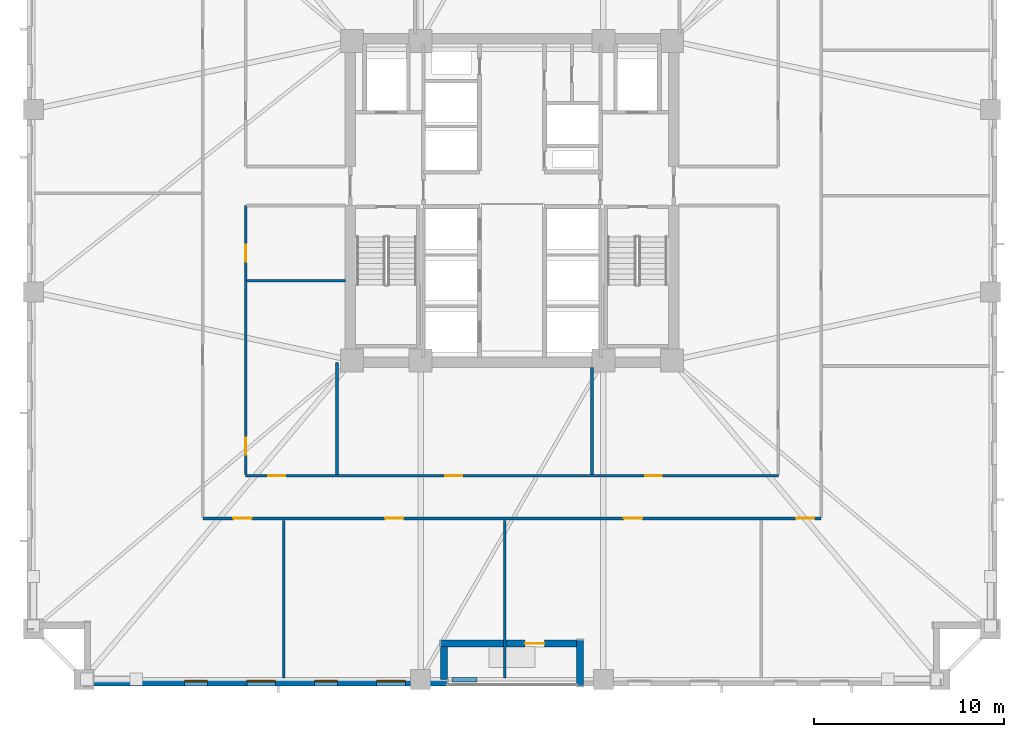
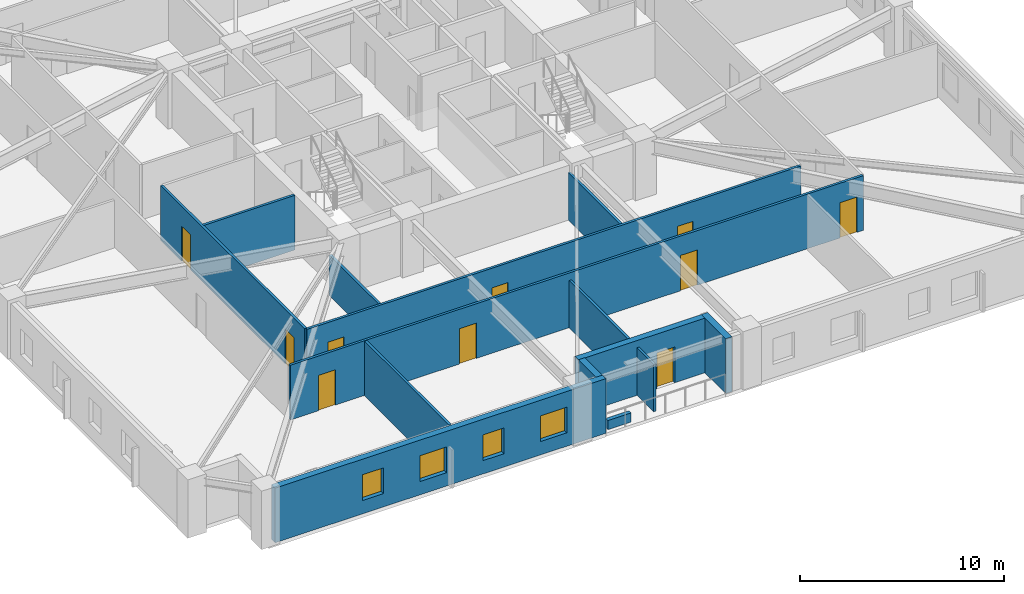
# One storey, part 2 of 11: 13 walls, 10 doors, 4 windows, 14 openings.
"""IFC4 building model written with IfcOpenShell, lengths in metres."""

from ifc_helpers import new_model, si_unit, direction, frame, frame_2d, origin, place, context, subcontext, project, spatial, rectangle, extrude, material, layer, layer_set, type_object, element, fill, save


model = new_model("IFC4")

# Units and contexts
model_context = context("Model", 3, precision=1e-05, world=origin(), true_north=direction((0.0, 1.0)))
body_context = subcontext(model_context, "Body", "Model", "MODEL_VIEW")
ifc_project = project(units=[si_unit("LENGTHUNIT", "METRE"), si_unit("AREAUNIT", "SQUARE_METRE"), si_unit("VOLUMEUNIT", "CUBIC_METRE"), si_unit("PLANEANGLEUNIT", "RADIAN"), si_unit("MASSUNIT", "GRAM", prefix="KILO")], contexts=[model_context])

# Site, building, storey
site_placement = place(None, origin())
site = spatial("IfcSite", under=ifc_project, at=site_placement, CompositionType="ELEMENT")
building_placement = place(site_placement, origin())
building = spatial("IfcBuilding", under=site, at=building_placement, Name="Cairnveth Concourse Tower", CompositionType="ELEMENT")
storey_placement = place(building_placement, frame((0.0, 0.0, 37.5)))
storey = spatial("IfcBuildingStorey", under=building, at=storey_placement, Name="L09", CompositionType="ELEMENT", Elevation=37.5)

# Wall, openings, doors
ifc_material_1 = material(Name="Gypsum Plasterboard Partition", Category="gypsum")
ifc_layer_1 = layer(ifc_material_1, 0.139892578125)
ifc_layer_set_1 = layer_set([ifc_layer_1], Name="Gypsum Plasterboard Partition")
wall_type_1 = type_object("IfcWallType", Name="GYPSUM STUD PARTITION 140", PredefinedType="PARTITIONING", material=ifc_layer_set_1)
wall_1_placement = place(storey_placement, frame((35.75, 22.300048828125, 0.0), z_axis=(0.0, 0.0, 1.0), x_axis=(1.0, 0.0, 0.0)))
wall_1 = element("IfcWall", 1, at=wall_1_placement, inside=storey, type_object=wall_type_1, Name="Interior Wall IW-L09-038", PredefinedType="PARTITIONING", context=body_context, shape_type="SweptSolid", body=[
    extrude(rectangle(XDim=32.5, YDim=0.139892578125, at=frame_2d((16.25, 0.0))), origin(), (0.0, 0.0, 1.0), 3.280029296875),
])
opening_1_placement = place(wall_1_placement, frame((1.603759765625, 0.0, 0.0)))
opening_1 = element("IfcOpeningElement", 2, at=opening_1_placement, cuts=wall_1, Name="Opening ID11", PredefinedType="OPENING", context=body_context, shape_type="SweptSolid", body=[
    extrude(rectangle(XDim=0.9599609375, YDim=2.1201171875, at=frame_2d((0.47998046875, 1.06005859375))), frame((0.0, 0.079833984375, 0.0), z_axis=(0.0, -1.0, 0.0), x_axis=(1.0, 0.0, 0.0)), (0.0, 0.0, 1.0), 0.159912109375),
])
opening_2_placement = place(wall_1_placement, frame((9.5849609375, 0.0, 0.0)))
opening_2 = element("IfcOpeningElement", 3, at=opening_2_placement, cuts=wall_1, Name="Opening ID11", PredefinedType="OPENING", context=body_context, shape_type="SweptSolid", body=[
    extrude(rectangle(XDim=0.9599609375, YDim=2.1201171875, at=frame_2d((0.47998046875, 1.06005859375))), frame((0.0, 0.079833984375, 0.0), z_axis=(0.0, -1.0, 0.0), x_axis=(1.0, 0.0, 0.0)), (0.0, 0.0, 1.0), 0.159912109375),
])
opening_3_placement = place(wall_1_placement, frame((22.125, 0.0, 0.0)))
opening_3 = element("IfcOpeningElement", 4, at=opening_3_placement, cuts=wall_1, Name="Opening ID11", PredefinedType="OPENING", context=body_context, shape_type="SweptSolid", body=[
    extrude(rectangle(XDim=0.9599609375, YDim=2.1201171875, at=frame_2d((0.47998046875, 1.06005859375))), frame((0.0, 0.079833984375, 0.0), z_axis=(0.0, -1.0, 0.0), x_axis=(1.0, 0.0, 0.0)), (0.0, 0.0, 1.0), 0.159912109375),
])
opening_4_placement = place(wall_1_placement, frame((31.179931640625, 0.0, 0.0)))
opening_4 = element("IfcOpeningElement", 5, at=opening_4_placement, cuts=wall_1, Name="Opening ID11", PredefinedType="OPENING", context=body_context, shape_type="SweptSolid", body=[
    extrude(rectangle(XDim=0.9599609375, YDim=2.1201171875, at=frame_2d((0.47998046875, 1.06005859375))), frame((0.0, 0.079833984375, 0.0), z_axis=(0.0, -1.0, 0.0), x_axis=(1.0, 0.0, 0.0)), (0.0, 0.0, 1.0), 0.159912109375),
])
ifc_material_2 = material(Name="Solid Core Hardwood Timber Leaf", Category="wood")
door_type_1 = type_object("IfcDoorType", Name="INTERIOR SINGLE DOOR 960X2150", OperationType="NOTDEFINED", PredefinedType="DOOR", material=ifc_material_2)
door_1_placement = place(opening_1_placement, origin())
door_1 = element("IfcDoor", 6, at=door_1_placement, inside=storey, type_object=door_type_1, Name="Office Door L09-S1", OperationType="SINGLE_SWING_LEFT", OverallHeight=2.1201171875, OverallWidth=0.9599609375, PredefinedType="DOOR", context=body_context, shape_type="SweptSolid", body=[
    extrude(rectangle(XDim=0.9599609375, YDim=2.1201171875, at=frame_2d((0.47998046875, 1.06005859375))), frame((0.0, 0.02490234375, 0.0), z_axis=(0.0, -1.0, 0.0), x_axis=(1.0, 0.0, 0.0)), (0.0, 0.0, 1.0), 0.050048828125),
])
fill(opening_1, door_1)
door_2_placement = place(opening_2_placement, origin())
door_2 = element("IfcDoor", 7, at=door_2_placement, inside=storey, type_object=door_type_1, Name="Office Door L09-S2", OperationType="SINGLE_SWING_RIGHT", OverallHeight=2.1201171875, OverallWidth=0.9599609375, PredefinedType="DOOR", context=body_context, shape_type="SweptSolid", body=[
    extrude(rectangle(XDim=0.9599609375, YDim=2.1201171875, at=frame_2d((0.47998046875, 1.06005859375))), frame((0.0, 0.02490234375, 0.0), z_axis=(0.0, -1.0, 0.0), x_axis=(1.0, 0.0, 0.0)), (0.0, 0.0, 1.0), 0.050048828125),
])
fill(opening_2, door_2)
door_3_placement = place(opening_3_placement, origin())
door_3 = element("IfcDoor", 8, at=door_3_placement, inside=storey, type_object=door_type_1, Name="Office Door L09-S3", OperationType="SINGLE_SWING_LEFT", OverallHeight=2.1201171875, OverallWidth=0.9599609375, PredefinedType="DOOR", context=body_context, shape_type="SweptSolid", body=[
    extrude(rectangle(XDim=0.9599609375, YDim=2.1201171875, at=frame_2d((0.47998046875, 1.06005859375))), frame((0.0, 0.02490234375, 0.0), z_axis=(0.0, -1.0, 0.0), x_axis=(1.0, 0.0, 0.0)), (0.0, 0.0, 1.0), 0.050048828125),
])
fill(opening_3, door_3)
door_4_placement = place(opening_4_placement, origin())
door_4 = element("IfcDoor", 9, at=door_4_placement, inside=storey, type_object=door_type_1, Name="Office Door L09-S4", OperationType="SINGLE_SWING_RIGHT", OverallHeight=2.1201171875, OverallWidth=0.9599609375, PredefinedType="DOOR", context=body_context, shape_type="SweptSolid", body=[
    extrude(rectangle(XDim=0.9599609375, YDim=2.1201171875, at=frame_2d((0.47998046875, 1.06005859375))), frame((0.0, 0.02490234375, 0.0), z_axis=(0.0, -1.0, 0.0), x_axis=(1.0, 0.0, 0.0)), (0.0, 0.0, 1.0), 0.050048828125),
])
fill(opening_4, door_4)

wall_2_placement = place(storey_placement, frame((38.0, 24.550048828125, 0.0), z_axis=(0.0, 0.0, 1.0), x_axis=(1.0, 0.0, 0.0)))
wall_2 = element("IfcWall", 10, at=wall_2_placement, inside=storey, type_object=wall_type_1, Name="Interior Wall IW-L09-042", PredefinedType="PARTITIONING", context=body_context, shape_type="SweptSolid", body=[
    extrude(rectangle(XDim=28.0, YDim=0.139892578125, at=frame_2d((14.0, 0.0))), origin(), (0.0, 0.0, 1.0), 3.280029296875),
])
opening_5_placement = place(wall_2_placement, frame((1.199951171875, 0.0, 0.0)))
opening_5 = element("IfcOpeningElement", 11, at=opening_5_placement, cuts=wall_2, Name="Opening ID18", PredefinedType="OPENING", context=body_context, shape_type="SweptSolid", body=[
    extrude(rectangle(XDim=0.8798828125, YDim=2.10009765625, at=frame_2d((0.43994140625, 1.050048828125))), frame((0.0, 0.079833984375, 0.0), z_axis=(0.0, -1.0, 0.0), x_axis=(1.0, 0.0, 0.0)), (0.0, 0.0, 1.0), 0.159912109375),
])
opening_6_placement = place(wall_2_placement, frame((10.5, 0.0, 0.0)))
opening_6 = element("IfcOpeningElement", 12, at=opening_6_placement, cuts=wall_2, Name="Opening ID18", PredefinedType="OPENING", context=body_context, shape_type="SweptSolid", body=[
    extrude(rectangle(XDim=0.8798828125, YDim=2.10009765625, at=frame_2d((0.43994140625, 1.050048828125))), frame((0.0, 0.079833984375, 0.0), z_axis=(0.0, -1.0, 0.0), x_axis=(1.0, 0.0, 0.0)), (0.0, 0.0, 1.0), 0.159912109375),
])
opening_7_placement = place(wall_2_placement, frame((21.0, 0.0, 0.0)))
opening_7 = element("IfcOpeningElement", 13, at=opening_7_placement, cuts=wall_2, Name="Opening ID18", PredefinedType="OPENING", context=body_context, shape_type="SweptSolid", body=[
    extrude(rectangle(XDim=0.8798828125, YDim=2.10009765625, at=frame_2d((0.43994140625, 1.050048828125))), frame((0.0, 0.079833984375, 0.0), z_axis=(0.0, -1.0, 0.0), x_axis=(1.0, 0.0, 0.0)), (0.0, 0.0, 1.0), 0.159912109375),
])
door_type_2 = type_object("IfcDoorType", Name="INTERIOR SINGLE DOOR 880X2100", OperationType="NOTDEFINED", PredefinedType="DOOR", material=ifc_material_2)
door_5_placement = place(opening_5_placement, origin())
door_5 = element("IfcDoor", 14, at=door_5_placement, inside=storey, type_object=door_type_2, Name="Interior Door DR-L09-014", OperationType="SINGLE_SWING_RIGHT", OverallHeight=2.10009765625, OverallWidth=0.8798828125, PredefinedType="DOOR", context=body_context, shape_type="SweptSolid", body=[
    extrude(rectangle(XDim=0.8798828125, YDim=2.10009765625, at=frame_2d((0.43994140625, 1.050048828125))), frame((0.0, 0.02490234375, 0.0), z_axis=(0.0, -1.0, 0.0), x_axis=(1.0, 0.0, 0.0)), (0.0, 0.0, 1.0), 0.050048828125),
])
fill(opening_5, door_5)
door_6_placement = place(opening_6_placement, origin())
door_6 = element("IfcDoor", 15, at=door_6_placement, inside=storey, type_object=door_type_2, Name="Interior Door DR-L09-015", OperationType="SINGLE_SWING_LEFT", OverallHeight=2.10009765625, OverallWidth=0.8798828125, PredefinedType="DOOR", context=body_context, shape_type="SweptSolid", body=[
    extrude(rectangle(XDim=0.8798828125, YDim=2.10009765625, at=frame_2d((0.43994140625, 1.050048828125))), frame((0.0, 0.02490234375, 0.0), z_axis=(0.0, -1.0, 0.0), x_axis=(1.0, 0.0, 0.0)), (0.0, 0.0, 1.0), 0.050048828125),
])
fill(opening_6, door_6)
door_7_placement = place(opening_7_placement, origin())
door_7 = element("IfcDoor", 16, at=door_7_placement, inside=storey, type_object=door_type_2, Name="Interior Door DR-L09-016", OperationType="SINGLE_SWING_RIGHT", OverallHeight=2.10009765625, OverallWidth=0.8798828125, PredefinedType="DOOR", context=body_context, shape_type="SweptSolid", body=[
    extrude(rectangle(XDim=0.8798828125, YDim=2.10009765625, at=frame_2d((0.43994140625, 1.050048828125))), frame((0.0, 0.02490234375, 0.0), z_axis=(0.0, -1.0, 0.0), x_axis=(1.0, 0.0, 0.0)), (0.0, 0.0, 1.0), 0.050048828125),
])
fill(opening_7, door_7)

wall_3_placement = place(storey_placement, frame((38.0, 24.60498046875, 0.0), z_axis=(0.0, 0.0, 1.0), x_axis=(0.0, 1.0, 0.0)))
wall_3 = element("IfcWall", 17, at=wall_3_placement, inside=storey, type_object=wall_type_1, Name="Interior Wall IW-L09-044", PredefinedType="PARTITIONING", context=body_context, shape_type="SweptSolid", body=[
    extrude(rectangle(XDim=14.14501953125, YDim=0.139892578125, at=frame_2d((7.072509765625, 0.0))), origin(), (0.0, 0.0, 1.0), 3.280029296875),
])
opening_8_placement = place(wall_3_placement, frame((1.044921875, 0.0, 0.0)))
opening_8 = element("IfcOpeningElement", 18, at=opening_8_placement, cuts=wall_3, Name="Opening ID18", PredefinedType="OPENING", context=body_context, shape_type="SweptSolid", body=[
    extrude(rectangle(XDim=0.8798828125, YDim=2.10009765625, at=frame_2d((0.43994140625, 1.050048828125))), frame((0.0, 0.079833984375, 0.0), z_axis=(0.0, -1.0, 0.0), x_axis=(1.0, 0.0, 0.0)), (0.0, 0.0, 1.0), 0.159912109375),
])
opening_9_placement = place(wall_3_placement, frame((11.195068359375, 0.0, 0.0)))
opening_9 = element("IfcOpeningElement", 19, at=opening_9_placement, cuts=wall_3, Name="Opening ID18", PredefinedType="OPENING", context=body_context, shape_type="SweptSolid", body=[
    extrude(rectangle(XDim=0.8798828125, YDim=2.10009765625, at=frame_2d((0.43994140625, 1.050048828125))), frame((0.0, 0.079833984375, 0.0), z_axis=(0.0, -1.0, 0.0), x_axis=(1.0, 0.0, 0.0)), (0.0, 0.0, 1.0), 0.159912109375),
])
door_8_placement = place(opening_8_placement, origin())
door_8 = element("IfcDoor", 20, at=door_8_placement, inside=storey, type_object=door_type_2, Name="Interior Door DR-L09-020", OperationType="SINGLE_SWING_RIGHT", OverallHeight=2.10009765625, OverallWidth=0.8798828125, PredefinedType="DOOR", context=body_context, shape_type="SweptSolid", body=[
    extrude(rectangle(XDim=0.8798828125, YDim=2.10009765625, at=frame_2d((0.43994140625, 1.050048828125))), frame((0.0, 0.02490234375, 0.0), z_axis=(0.0, -1.0, 0.0), x_axis=(1.0, 0.0, 0.0)), (0.0, 0.0, 1.0), 0.050048828125),
])
fill(opening_8, door_8)
door_9_placement = place(opening_9_placement, origin())
door_9 = element("IfcDoor", 21, at=door_9_placement, inside=storey, type_object=door_type_2, Name="Interior Door DR-L09-021", OperationType="SINGLE_SWING_LEFT", OverallHeight=2.10009765625, OverallWidth=0.8798828125, PredefinedType="DOOR", context=body_context, shape_type="SweptSolid", body=[
    extrude(rectangle(XDim=0.8798828125, YDim=2.10009765625, at=frame_2d((0.43994140625, 1.050048828125))), frame((0.0, 0.02490234375, 0.0), z_axis=(0.0, -1.0, 0.0), x_axis=(1.0, 0.0, 0.0)), (0.0, 0.0, 1.0), 0.050048828125),
])
fill(opening_9, door_9)

# Walls
wall_4_placement = place(storey_placement, frame((42.800048828125, 24.60498046875, 0.0), z_axis=(0.0, 0.0, 1.0), x_axis=(0.0, 1.0, 0.0)))
element("IfcWall", 22, at=wall_4_placement, inside=storey, type_object=wall_type_1, Name="Interior Wall IW-L09-052", PredefinedType="PARTITIONING", context=body_context, shape_type="SweptSolid", body=[
    extrude(rectangle(XDim=5.89501953125, YDim=0.139892578125, at=frame_2d((2.947509765625, 0.0))), origin(), (0.0, 0.0, 1.0), 2.43896484375),
])
wall_5_placement = place(storey_placement, frame((56.199951171875, 24.60498046875, 0.0), z_axis=(0.0, 0.0, 1.0), x_axis=(0.0, 1.0, 0.0)))
element("IfcWall", 23, at=wall_5_placement, inside=storey, type_object=wall_type_1, Name="Interior Wall IW-L09-053", PredefinedType="PARTITIONING", context=body_context, shape_type="SweptSolid", body=[
    extrude(rectangle(XDim=5.635009765625, YDim=0.139892578125, at=frame_2d((2.8173828125, 0.0))), origin(), (0.0, 0.0, 1.0), 2.84912109375),
])
wall_6_placement = place(storey_placement, frame((38.054931640625, 34.800048828125, 0.0), z_axis=(0.0, 0.0, 1.0), x_axis=(1.0, 0.0, 0.0)))
element("IfcWall", 24, at=wall_6_placement, inside=storey, type_object=wall_type_1, Name="Interior Wall IW-L09-056", PredefinedType="PARTITIONING", context=body_context, shape_type="SweptSolid", body=[
    extrude(rectangle(XDim=5.18505859375, YDim=0.139892578125, at=frame_2d((2.592529296875, 0.0))), origin(), (0.0, 0.0, 1.0), 3.280029296875),
])
wall_7_placement = place(storey_placement, frame((40.012451171875, 13.919921875, 0.0), z_axis=(0.0, 0.0, 1.0), x_axis=(0.0, 1.0, 0.0)))
element("IfcWall", 25, at=wall_7_placement, inside=storey, type_object=wall_type_1, Name="Interior Wall IW-L09-057", PredefinedType="PARTITIONING", context=body_context, shape_type="SweptSolid", body=[
    extrude(rectangle(XDim=8.280029296875, YDim=0.139892578125, at=frame_2d((4.14013671875, 0.0))), origin(), (0.0, 0.0, 1.0), 3.280029296875),
])
wall_8_placement = place(storey_placement, frame((51.617431640625, 13.919921875, 0.0), z_axis=(0.0, 0.0, 1.0), x_axis=(0.0, 1.0, 0.0)))
element("IfcWall", 26, at=wall_8_placement, inside=storey, type_object=wall_type_1, Name="Interior Wall IW-L09-058", PredefinedType="PARTITIONING", context=body_context, shape_type="SweptSolid", body=[
    extrude(rectangle(XDim=8.280029296875, YDim=0.139892578125, at=frame_2d((4.14013671875, 0.0))), origin(), (0.0, 0.0, 1.0), 2.84912109375),
])
ifc_material_3 = material(Name="Dressed Melbourne Bluestone Cladding", Category="masonry")
ifc_layer_2 = layer(ifc_material_3, 0.219970703125)
ifc_layer_set_2 = layer_set([ifc_layer_2], Name="Dressed Melbourne Bluestone Cladding")
wall_type_2 = type_object("IfcWallType", Name="TERRACE PLANTER CURB WALL 220", PredefinedType="PARAPET", material=ifc_layer_set_2)
wall_9_placement = place(storey_placement, frame((48.85009765625, 13.820068359375, 0.0), z_axis=(0.0, 0.0, 1.0), x_axis=(1.0, 0.0, 0.0)))
element("IfcWall", 27, at=wall_9_placement, inside=storey, type_object=wall_type_2, Name="Exterior Wall PLNT-L09-TERR", PredefinedType="PARAPET", context=body_context, shape_type="SweptSolid", body=[
    extrude(rectangle(XDim=1.2998046875, YDim=0.219970703125, at=frame_2d((0.64990234375, 0.0))), origin(), (0.0, 0.0, 1.0), 0.550048828125),
])

# Wall, openings, windows
ifc_material_4 = material(Name="Hawthorn Red-Ochre Fired Clay Brick Masonry", Category="masonry")
ifc_layer_3 = layer(ifc_material_4, 0.360107421875)
ifc_layer_set_3 = layer_set([ifc_layer_3], Name="Hawthorn Red-Ochre Fired Clay Brick Masonry")
wall_type_3 = type_object("IfcWallType", Name="ZONE 1 BRICK PIER SPANDREL WALL 360", PredefinedType="SOLIDWALL", material=ifc_layer_set_3)
wall_10_placement = place(storey_placement, frame((48.60009765625, 13.679931640625, 0.0), z_axis=(0.0, 0.0, 1.0), x_axis=(-1.0, 0.0, 0.0)))
wall_10 = element("IfcWall", 28, at=wall_10_placement, inside=storey, type_object=wall_type_3, Name="Exterior Wall EW-L09-S00", PredefinedType="SOLIDWALL", context=body_context, shape_type="SweptSolid", body=[
    extrude(rectangle(XDim=18.76220703125, YDim=0.360107421875, at=frame_2d((9.381103515625, 0.0))), origin(), (0.0, 0.0, 1.0), 3.280029296875),
])
opening_10_placement = place(wall_10_placement, frame((2.207763671875, 0.0, 0.800048828125)))
opening_10 = element("IfcOpeningElement", 29, at=opening_10_placement, cuts=wall_10, Name="Opening W03", PredefinedType="OPENING", context=body_context, shape_type="SweptSolid", body=[
    extrude(rectangle(XDim=1.5, YDim=1.5439453125, at=frame_2d((0.75, 0.77197265625))), frame((0.0, 0.18994140625, 0.0), z_axis=(0.0, -1.0, 0.0), x_axis=(1.0, 0.0, 0.0)), (0.0, 0.0, 1.0), 0.380126953125),
])
opening_11_placement = place(wall_10_placement, frame((5.773193359375, 0.0, 0.800048828125)))
opening_11 = element("IfcOpeningElement", 30, at=opening_11_placement, cuts=wall_10, Name="Opening W01", PredefinedType="OPENING", context=body_context, shape_type="SweptSolid", body=[
    extrude(rectangle(XDim=1.199951171875, YDim=1.5439453125, at=frame_2d((0.60009765625, 0.77197265625))), frame((0.0, 0.18994140625, 0.0), z_axis=(0.0, -1.0, 0.0), x_axis=(1.0, 0.0, 0.0)), (0.0, 0.0, 1.0), 0.380126953125),
])
opening_12_placement = place(wall_10_placement, frame((9.038818359375, 0.0, 0.800048828125)))
opening_12 = element("IfcOpeningElement", 31, at=opening_12_placement, cuts=wall_10, Name="Opening W03", PredefinedType="OPENING", context=body_context, shape_type="SweptSolid", body=[
    extrude(rectangle(XDim=1.5, YDim=1.5439453125, at=frame_2d((0.75, 0.77197265625))), frame((0.0, 0.18994140625, 0.0), z_axis=(0.0, -1.0, 0.0), x_axis=(1.0, 0.0, 0.0)), (0.0, 0.0, 1.0), 0.380126953125),
])
opening_13_placement = place(wall_10_placement, frame((12.604248046875, 0.0, 0.800048828125)))
opening_13 = element("IfcOpeningElement", 32, at=opening_13_placement, cuts=wall_10, Name="Opening W01", PredefinedType="OPENING", context=body_context, shape_type="SweptSolid", body=[
    extrude(rectangle(XDim=1.199951171875, YDim=1.5439453125, at=frame_2d((0.60009765625, 0.77197265625))), frame((0.0, 0.18994140625, 0.0), z_axis=(0.0, -1.0, 0.0), x_axis=(1.0, 0.0, 0.0)), (0.0, 0.0, 1.0), 0.380126953125),
])
ifc_material_5 = material(Name="Double Glazed Low-E Clear Glass", Category="glass")
window_type_1 = type_object("IfcWindowType", Name="DEEP-SET GOTHIC LANCET WINDOW 1200X1800", PartitioningType="DOUBLE_PANEL_VERTICAL", PredefinedType="WINDOW", material=ifc_material_5)
window_1_placement = place(opening_11_placement, origin())
window_1 = element("IfcWindow", 33, at=window_1_placement, inside=storey, type_object=window_type_1, Name="Gothic Lancet Window L09-0-2", OverallHeight=1.5439453125, OverallWidth=1.199951171875, PartitioningType="SINGLE_PANEL", PredefinedType="WINDOW", context=body_context, shape_type="SweptSolid", body=[
    extrude(rectangle(XDim=1.199951171875, YDim=1.5439453125, at=frame_2d((0.60009765625, 0.77197265625))), frame((0.0, -0.050048828125, 0.0), z_axis=(0.0, -1.0, 0.0), x_axis=(1.0, 0.0, 0.0)), (0.0, 0.0, 1.0), 0.06005859375),
])
fill(opening_11, window_1)
window_2_placement = place(opening_13_placement, origin())
window_2 = element("IfcWindow", 34, at=window_2_placement, inside=storey, type_object=window_type_1, Name="Gothic Lancet Window L09-0-4", OverallHeight=1.5439453125, OverallWidth=1.199951171875, PartitioningType="SINGLE_PANEL", PredefinedType="WINDOW", context=body_context, shape_type="SweptSolid", body=[
    extrude(rectangle(XDim=1.199951171875, YDim=1.5439453125, at=frame_2d((0.60009765625, 0.77197265625))), frame((0.0, -0.050048828125, 0.0), z_axis=(0.0, -1.0, 0.0), x_axis=(1.0, 0.0, 0.0)), (0.0, 0.0, 1.0), 0.06005859375),
])
fill(opening_13, window_2)
window_type_2 = type_object("IfcWindowType", Name="DEEP-SET GOTHIC LANCET WINDOW 1500X1800", PartitioningType="DOUBLE_PANEL_VERTICAL", PredefinedType="WINDOW", material=ifc_material_5)
window_3_placement = place(opening_10_placement, origin())
window_3 = element("IfcWindow", 35, at=window_3_placement, inside=storey, type_object=window_type_2, Name="Gothic Lancet Window L09-0-1", OverallHeight=1.5439453125, OverallWidth=1.5, PartitioningType="SINGLE_PANEL", PredefinedType="WINDOW", context=body_context, shape_type="SweptSolid", body=[
    extrude(rectangle(XDim=1.5, YDim=1.5439453125, at=frame_2d((0.75, 0.77197265625))), frame((0.0, -0.050048828125, 0.0), z_axis=(0.0, -1.0, 0.0), x_axis=(1.0, 0.0, 0.0)), (0.0, 0.0, 1.0), 0.06005859375),
])
fill(opening_10, window_3)
window_4_placement = place(opening_12_placement, origin())
window_4 = element("IfcWindow", 36, at=window_4_placement, inside=storey, type_object=window_type_2, Name="Gothic Lancet Window L09-0-3", OverallHeight=1.5439453125, OverallWidth=1.5, PartitioningType="SINGLE_PANEL", PredefinedType="WINDOW", context=body_context, shape_type="SweptSolid", body=[
    extrude(rectangle(XDim=1.5, YDim=1.5439453125, at=frame_2d((0.75, 0.77197265625))), frame((0.0, -0.050048828125, 0.0), z_axis=(0.0, -1.0, 0.0), x_axis=(1.0, 0.0, 0.0)), (0.0, 0.0, 1.0), 0.06005859375),
])
fill(opening_12, window_4)

# Wall
wall_11_placement = place(storey_placement, frame((55.580078125, 13.5, 0.0), z_axis=(0.0, 0.0, 1.0), x_axis=(0.0, 1.0, 0.0)))
element("IfcWall", 37, at=wall_11_placement, inside=storey, type_object=wall_type_3, Name="Exterior Wall EW-L09-S13", PredefinedType="SOLIDWALL", context=body_context, shape_type="SweptSolid", body=[
    extrude(rectangle(XDim=2.409912109375, YDim=0.360107421875, at=frame_2d((1.205078125, 0.0))), origin(), (0.0, 0.0, 1.0), 3.280029296875),
])

# Wall, opening, door
wall_12_placement = place(storey_placement, frame((55.422119140625, 15.72998046875, 0.0), z_axis=(0.0, 0.0, 1.0), x_axis=(-1.0, 0.0, 0.0)))
wall_12 = element("IfcWall", 38, at=wall_12_placement, inside=storey, type_object=wall_type_3, Name="Exterior Wall EW-L09-S14", PredefinedType="SOLIDWALL", context=body_context, shape_type="SweptSolid", body=[
    extrude(rectangle(XDim=7.18212890625, YDim=0.360107421875, at=frame_2d((3.591064453125, 0.0))), origin(), (0.0, 0.0, 1.0), 3.280029296875),
])
opening_14_placement = place(wall_12_placement, frame((1.727294921875, 0.0, 0.0)))
opening_14 = element("IfcOpeningElement", 39, at=opening_14_placement, cuts=wall_12, Name="Opening ED4", PredefinedType="OPENING", context=body_context, shape_type="SweptSolid", body=[
    extrude(rectangle(XDim=1.0, YDim=2.14990234375, at=frame_2d((0.5, 1.074951171875))), frame((0.0, 0.18994140625, 0.0), z_axis=(0.0, -1.0, 0.0), x_axis=(1.0, 0.0, 0.0)), (0.0, 0.0, 1.0), 0.380126953125),
])
ifc_material_6 = material(Name="Architectural Bronze Anodised Aluminium 6063-T6", Category="aluminium")
door_type_3 = type_object("IfcDoorType", Name="TERRACE GLAZED DOOR 1000X2150", OperationType="NOTDEFINED", PredefinedType="DOOR", material=ifc_material_6)
door_10_placement = place(opening_14_placement, origin())
door_10 = element("IfcDoor", 40, at=door_10_placement, inside=storey, type_object=door_type_3, Name="Spiral Terrace Door L09", OperationType="SINGLE_SWING_RIGHT", OverallHeight=2.14990234375, OverallWidth=1.0, PredefinedType="DOOR", context=body_context, shape_type="SweptSolid", body=[
    extrude(rectangle(XDim=1.0, YDim=2.14990234375, at=frame_2d((0.5, 1.074951171875))), frame((0.0, 0.02490234375, 0.0), z_axis=(0.0, -1.0, 0.0), x_axis=(1.0, 0.0, 0.0)), (0.0, 0.0, 1.0), 0.050048828125),
])
fill(opening_14, door_10)

# Wall
wall_13_placement = place(storey_placement, frame((48.419921875, 15.572021484375, 0.0), z_axis=(0.0, 0.0, 1.0), x_axis=(0.0, -1.0, 0.0)))
element("IfcWall", 41, at=wall_13_placement, inside=storey, type_object=wall_type_3, Name="Exterior Wall EW-L09-S15", PredefinedType="SOLIDWALL", context=body_context, shape_type="SweptSolid", body=[
    extrude(rectangle(XDim=1.734130859375, YDim=0.360107421875, at=frame_2d((0.8671875, 0.0))), origin(), (0.0, 0.0, 1.0), 3.280029296875),
])

save(model, "model.ifc")
